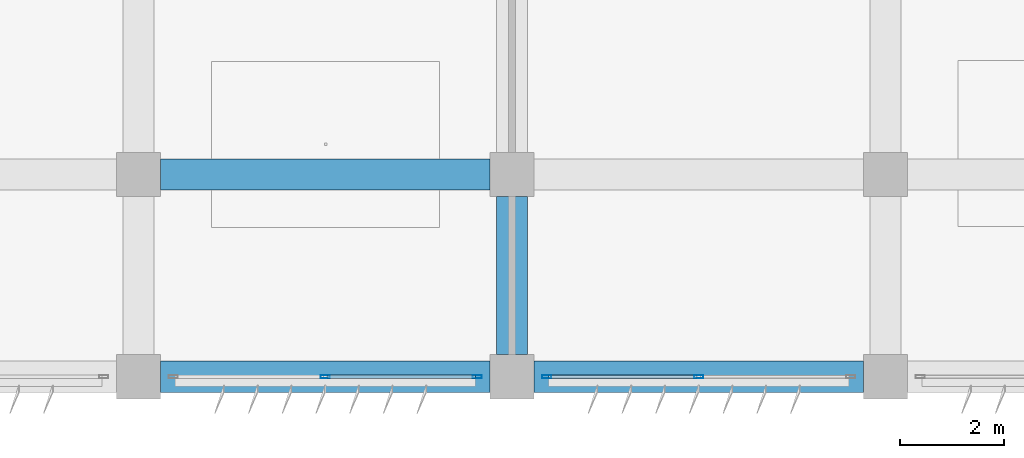
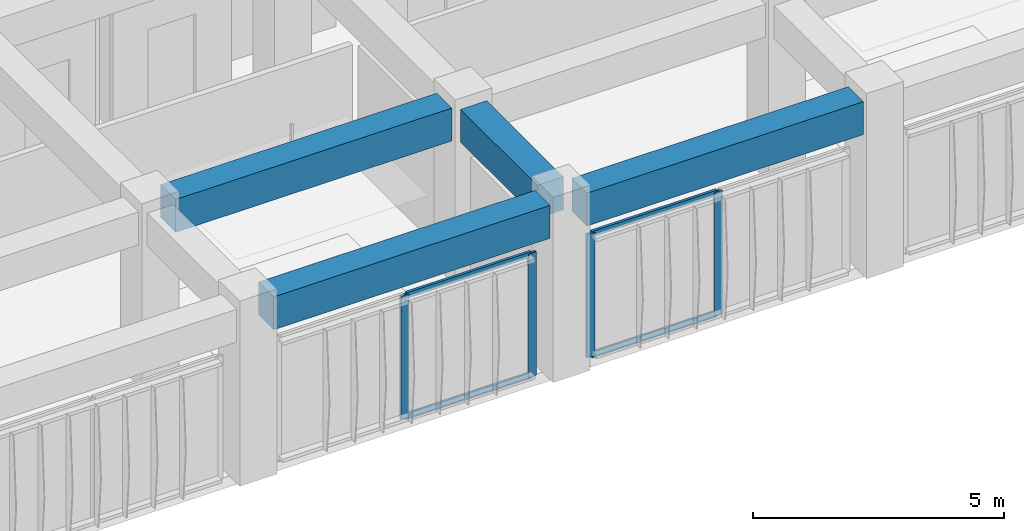
# One storey, part 14 of 48: 8 members, 4 beams, 2 elements without a shape of their own.
"""IFC4 building model written with IfcOpenShell, lengths in metres."""

from ifc_helpers import new_model, si_unit, direction, frame, origin, origin_2d, place, context, subcontext, project, spatial, rectangle, hollow_rectangle, extrude, material, material_profile, profile_set, type_object, element, aggregate, save


model = new_model("IFC4")

# Units and contexts
model_context = context("Model", 3, precision=1e-05, world=origin(), true_north=direction((0.0, 1.0)))
body_context = subcontext(model_context, "Body", "Model", "MODEL_VIEW")
ifc_project = project(units=[si_unit("LENGTHUNIT", "METRE"), si_unit("AREAUNIT", "SQUARE_METRE"), si_unit("VOLUMEUNIT", "CUBIC_METRE"), si_unit("PLANEANGLEUNIT", "RADIAN"), si_unit("MASSUNIT", "GRAM", prefix="KILO")], contexts=[model_context])

# Site, building, storey
site_placement = place(None, origin())
site = spatial("IfcSite", under=ifc_project, at=site_placement, CompositionType="ELEMENT")
building_placement = place(site_placement, origin())
building = spatial("IfcBuilding", under=site, at=building_placement, Name="Kazehaya Institute of Natural Sciences", CompositionType="ELEMENT")
storey_placement = place(building_placement, frame((0.0, 0.0, 19.800048828125)))
storey = spatial("IfcBuildingStorey", under=building, at=storey_placement, Name="L04", CompositionType="ELEMENT", Elevation=19.800048828125)

# Beams
ifc_material_1 = material(Name="Concrete Fc36", Category="concrete")
ifc_material_profile_1 = material_profile(ifc_material_1, rectangle(XDim=0.60009765625, YDim=0.800048828125, at=origin_2d()), Name="RC-600x800")
ifc_profile_set_1 = profile_set([ifc_material_profile_1], Name="Concrete Fc36")
beam_type = type_object("IfcBeamType", Name="BM-G-600x800", PredefinedType="BEAM", material=ifc_profile_set_1)
beam_1_placement = place(storey_placement, frame((91.02490234375, 10.10009765625, 3.829833984375), z_axis=(1.0, 0.0, 0.0), x_axis=(0.0, 1.0, 0.0)))
element("IfcBeam", 1, at=beam_1_placement, inside=storey, type_object=beam_type, Name="L04 primary X girder BMX-L04-906-101", PredefinedType="BEAM", context=body_context, shape_type="SweptSolid", body=[
    extrude(rectangle(XDim=0.60009765625, YDim=0.800048828125, at=origin_2d()), origin(), (0.0, 0.0, 1.0), 6.35009765625),
])
beam_2_placement = place(storey_placement, frame((98.22509765625, 10.10009765625, 3.829833984375), z_axis=(1.0, 0.0, 0.0), x_axis=(0.0, 1.0, 0.0)))
element("IfcBeam", 2, at=beam_2_placement, inside=storey, type_object=beam_type, Name="L04 primary X girder BMX-L04-978-101", PredefinedType="BEAM", context=body_context, shape_type="SweptSolid", body=[
    extrude(rectangle(XDim=0.60009765625, YDim=0.800048828125, at=origin_2d()), origin(), (0.0, 0.0, 1.0), 6.349853515625),
])
beam_3_placement = place(storey_placement, frame((91.02490234375, 14.0, 3.829833984375), z_axis=(1.0, 0.0, 0.0), x_axis=(0.0, 1.0, 0.0)))
element("IfcBeam", 3, at=beam_3_placement, inside=storey, type_object=beam_type, Name="L04 primary X girder BMX-L04-906-140", PredefinedType="BEAM", context=body_context, shape_type="SweptSolid", body=[
    extrude(rectangle(XDim=0.60009765625, YDim=0.800048828125, at=origin_2d()), origin(), (0.0, 0.0, 1.0), 6.35009765625),
])
beam_4_placement = place(storey_placement, frame((97.800048828125, 10.52490234375, 3.829833984375), z_axis=(0.0, 1.0, 0.0), x_axis=(-1.0, 0.0, 0.0)))
element("IfcBeam", 4, at=beam_4_placement, inside=storey, type_object=beam_type, Name="L04 primary Y girder BMY-L04-978-101", PredefinedType="BEAM", context=body_context, shape_type="SweptSolid", body=[
    extrude(rectangle(XDim=0.60009765625, YDim=0.800048828125, at=origin_2d()), origin(), (0.0, 0.0, 1.0), 3.050048828125),
])

# Curtain wall, members
ifc_material_2 = material(Name="Aluminium alloy A6063S-T5", Category="aluminium")
curtain_wall_type = type_object("IfcCurtainWallType", Name="CW-SYS-04", PredefinedType="NOTDEFINED", material=ifc_material_2)
curtain_wall_1_placement = place(storey_placement, origin())
curtain_wall_1 = element("IfcCurtainWall", 5, at=curtain_wall_1_placement, inside=storey, type_object=curtain_wall_type, Name="L04 unitised curtain wall CW-L04-077", PredefinedType="NOTDEFINED")
ifc_material_profile_2 = material_profile(ifc_material_2, hollow_rectangle(XDim=0.06005859375, YDim=0.179931640625, WallThickness=0.00390625, at=origin_2d()), Name="ALU-60x180x4")
ifc_profile_set_2 = profile_set([ifc_material_profile_2], Name="Aluminium alloy A6063S-T5")
member_type_1 = type_object("IfcMemberType", Name="CWM-180", PredefinedType="MULLION", material=ifc_profile_set_2)
member_1_placement = place(storey_placement, frame((101.39990234375, 10.10009765625, 0.0), z_axis=(0.0, 0.0, 1.0), x_axis=(0.0, -1.0, 0.0)))
member_1 = element("IfcMember", 6, at=member_1_placement, type_object=member_type_1, Name="CW04 mullion 2", PredefinedType="MULLION", context=body_context, shape_type="SweptSolid", body=[
    extrude(hollow_rectangle(XDim=0.06005859375, YDim=0.179931640625, WallThickness=0.00390625, at=origin_2d()), origin(), (0.0, 0.0, 1.0), 3.0),
])
member_2_placement = place(storey_placement, frame((98.469970703125, 10.10009765625, 0.0), z_axis=(0.0, 0.0, 1.0), x_axis=(0.0, -1.0, 0.0)))
member_2 = element("IfcMember", 7, at=member_2_placement, type_object=member_type_1, Name="CW04 mullion 3", PredefinedType="MULLION", context=body_context, shape_type="SweptSolid", body=[
    extrude(hollow_rectangle(XDim=0.06005859375, YDim=0.179931640625, WallThickness=0.00390625, at=origin_2d()), origin(), (0.0, 0.0, 1.0), 3.0),
])

curtain_wall_2_placement = place(storey_placement, origin())
curtain_wall_2 = element("IfcCurtainWall", 8, at=curtain_wall_2_placement, inside=storey, type_object=curtain_wall_type, Name="L04 unitised curtain wall CW-L04-078", PredefinedType="NOTDEFINED")
member_3_placement = place(storey_placement, frame((97.1298828125, 10.10009765625, 0.0), z_axis=(0.0, 0.0, 1.0), x_axis=(0.0, -1.0, 0.0)))
member_3 = element("IfcMember", 9, at=member_3_placement, type_object=member_type_1, Name="CW04 mullion 1", PredefinedType="MULLION", context=body_context, shape_type="SweptSolid", body=[
    extrude(hollow_rectangle(XDim=0.06005859375, YDim=0.179931640625, WallThickness=0.00390625, at=origin_2d()), origin(), (0.0, 0.0, 1.0), 3.0),
])
member_4_placement = place(storey_placement, frame((94.199951171875, 10.10009765625, 0.0), z_axis=(0.0, 0.0, 1.0), x_axis=(0.0, -1.0, 0.0)))
member_4 = element("IfcMember", 10, at=member_4_placement, type_object=member_type_1, Name="CW04 mullion 2", PredefinedType="MULLION", context=body_context, shape_type="SweptSolid", body=[
    extrude(hollow_rectangle(XDim=0.06005859375, YDim=0.179931640625, WallThickness=0.00390625, at=origin_2d()), origin(), (0.0, 0.0, 1.0), 3.0),
])

# Member
ifc_material_profile_3 = material_profile(ifc_material_2, hollow_rectangle(XDim=0.06005859375, YDim=0.139892578125, WallThickness=0.00341796875, at=origin_2d()), Name="ALU-60x140x3.5")
ifc_profile_set_3 = profile_set([ifc_material_profile_3], Name="Aluminium alloy A6063S-T5")
member_type_2 = type_object("IfcMemberType", Name="CWT-140", PredefinedType="USERDEFINED", material=ifc_profile_set_3)
member_5_placement = place(storey_placement, frame((101.3701171875, 10.10009765625, 0.030029296875), z_axis=(-1.0, 0.0, 0.0), x_axis=(0.0, -1.0, 0.0)))
member_5 = element("IfcMember", 11, at=member_5_placement, type_object=member_type_2, Name="CW04 transom 2.1", ObjectType="TRANSOM", PredefinedType="USERDEFINED", context=body_context, shape_type="SweptSolid", body=[
    extrude(hollow_rectangle(XDim=0.06005859375, YDim=0.139892578125, WallThickness=0.00341796875, at=origin_2d()), origin(), (0.0, 0.0, 1.0), 2.8701171875),
])

member_6_placement = place(storey_placement, frame((101.3701171875, 10.10009765625, 2.969970703125), z_axis=(-1.0, 0.0, 0.0), x_axis=(0.0, -1.0, 0.0)))
member_6 = element("IfcMember", 12, at=member_6_placement, type_object=member_type_2, Name="CW04 transom 2.2", ObjectType="TRANSOM", PredefinedType="USERDEFINED", context=body_context, shape_type="SweptSolid", body=[
    extrude(hollow_rectangle(XDim=0.06005859375, YDim=0.139892578125, WallThickness=0.00341796875, at=origin_2d()), origin(), (0.0, 0.0, 1.0), 2.8701171875),
])

aggregate(curtain_wall_1, [member_1, member_2, member_5, member_6])

member_7_placement = place(storey_placement, frame((97.10009765625, 10.10009765625, 0.030029296875), z_axis=(-1.0, 0.0, 0.0), x_axis=(0.0, -1.0, 0.0)))
member_7 = element("IfcMember", 13, at=member_7_placement, type_object=member_type_2, Name="CW04 transom 1.1", ObjectType="TRANSOM", PredefinedType="USERDEFINED", context=body_context, shape_type="SweptSolid", body=[
    extrude(hollow_rectangle(XDim=0.06005859375, YDim=0.139892578125, WallThickness=0.00341796875, at=origin_2d()), origin(), (0.0, 0.0, 1.0), 2.8701171875),
])

member_8_placement = place(storey_placement, frame((97.10009765625, 10.10009765625, 2.969970703125), z_axis=(-1.0, 0.0, 0.0), x_axis=(0.0, -1.0, 0.0)))
member_8 = element("IfcMember", 14, at=member_8_placement, type_object=member_type_2, Name="CW04 transom 1.2", ObjectType="TRANSOM", PredefinedType="USERDEFINED", context=body_context, shape_type="SweptSolid", body=[
    extrude(hollow_rectangle(XDim=0.06005859375, YDim=0.139892578125, WallThickness=0.00341796875, at=origin_2d()), origin(), (0.0, 0.0, 1.0), 2.8701171875),
])

aggregate(curtain_wall_2, [member_3, member_4, member_7, member_8])

save(model, "model.ifc")
